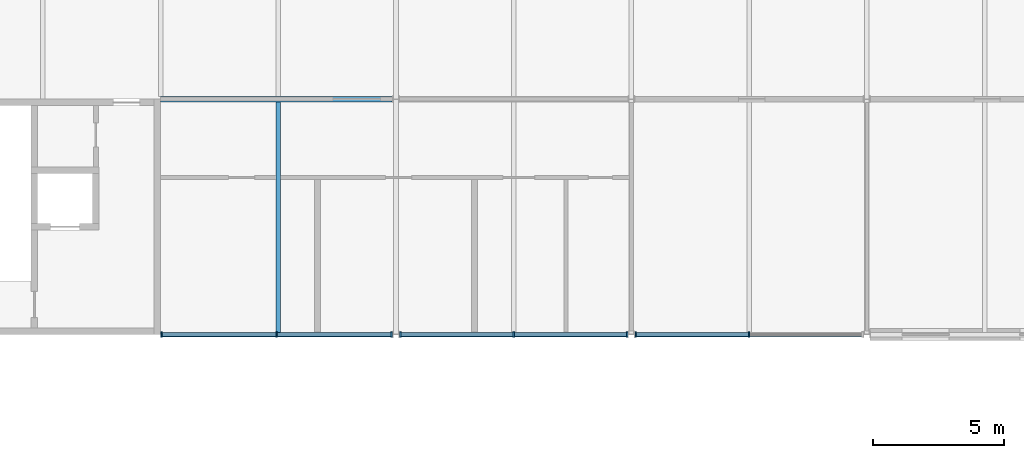
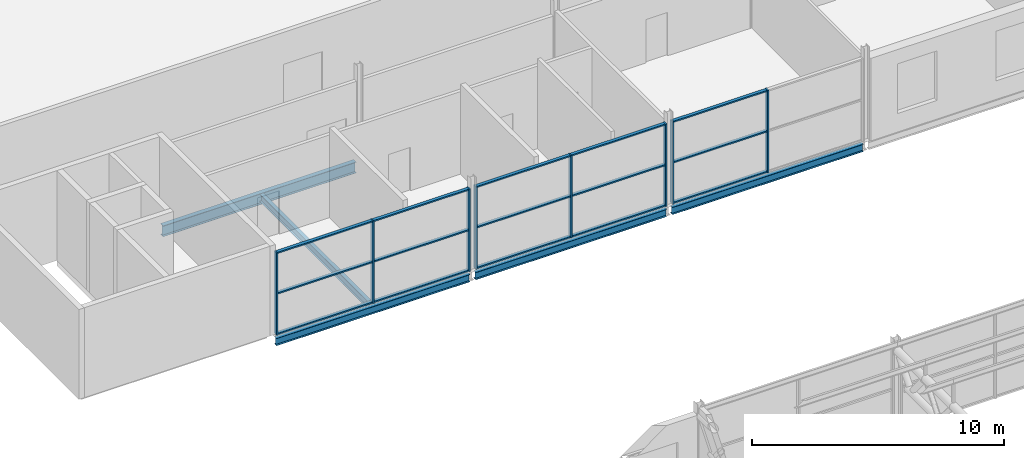
# One storey, part 40 of 138: 23 members, 5 beams, 3 elements without a shape of their own.
"""IFC4 building model written with IfcOpenShell, lengths in metres."""

import ifcopenshell
import ifcopenshell.guid

model = None  # the IFC model being written
_history = None  # IfcOwnerHistory: only IFC2X3 demands one
_inside = {}  # id of a spatial element -> (the spatial element, [elements in it])
_under = {}  # id of a project, library or spatial element -> (it, [spatial elements below it])
_declared = {}  # id of a project -> (the project, [libraries it declares])
_typed = {}  # id of a type object -> (the type object, [elements of that type])
_made_of = {}  # id of a material, layer set ... -> (it, [elements and type objects made of it])


def new_model(schema):
    """Start an empty IFC model of exactly this schema.

    Asked for "IFC4X3", IfcOpenShell would pick the latest addendum, in which some entities
    have other attributes; the version numbers below select the first issue.
    IFC2X3 requires an IfcOwnerHistory on every rooted entity: one is made here for all.
    """
    global model, _history
    if schema == "IFC4X3":
        model = ifcopenshell.file(schema_version=(4, 3, 0, 0))
    else:
        model = ifcopenshell.file(schema=schema)
    _inside.clear()
    _under.clear()
    _declared.clear()
    _typed.clear()
    _made_of.clear()
    _history = None
    if model.schema == "IFC2X3":
        org = make("IfcOrganization", Name="unknown")
        user = make(
            "IfcPersonAndOrganization",
            ThePerson=make("IfcPerson", FamilyName="unknown"),
            TheOrganization=org,
        )
        app = make(
            "IfcApplication",
            ApplicationDeveloper=org,
            Version="unknown",
            ApplicationFullName="unknown",
            ApplicationIdentifier="unknown",
        )
        _history = make(
            "IfcOwnerHistory",
            OwningUser=user,
            OwningApplication=app,
            ChangeAction="ADDED",
            CreationDate=0,
        )
    return model


def make(cls, **values):
    """One entity of the class cls with the attributes given. An attribute that is None is left unset."""
    return model.create_entity(
        cls, **{name: value for name, value in values.items() if value is not None}
    )


def rooted(cls, **values):
    """An entity with a GlobalId (a new one), such as an element, a storey or a relation."""
    return make(cls, GlobalId=ifcopenshell.guid.new(), OwnerHistory=_history, **values)


def si_unit(unit_type, name, prefix=None):
    """IfcSIUnit, for example si_unit("LENGTHUNIT", "METRE", prefix="MILLI")."""
    return make("IfcSIUnit", UnitType=unit_type, Prefix=prefix, Name=name)


def assignment(units):
    """IfcUnitAssignment: the units of a project."""
    return None if units is None else make("IfcUnitAssignment", Units=units)


def point(xyz):
    """IfcCartesianPoint."""
    return None if xyz is None else make("IfcCartesianPoint", Coordinates=xyz)


def direction(xyz):
    """IfcDirection."""
    return None if xyz is None else make("IfcDirection", DirectionRatios=xyz)


def frame(location, z_axis=None, x_axis=None):
    """IfcAxis2Placement3D, a coordinate frame: its origin and axes. An axis left out is left unset."""
    return make(
        "IfcAxis2Placement3D",
        Location=point(location),
        Axis=direction(z_axis),
        RefDirection=direction(x_axis),
    )


def frame_2d(location, x_axis=None):
    """IfcAxis2Placement2D, a coordinate frame in the plane: its origin and x axis."""
    return make(
        "IfcAxis2Placement2D", Location=point(location), RefDirection=direction(x_axis)
    )


def origin():
    """The frame at (0, 0, 0) with its axes left unset."""
    return frame((0.0, 0.0, 0.0))


def origin_2d():
    """The frame at (0, 0) in the plane with its x axis left unset."""
    return frame_2d((0.0, 0.0))


def place(relative_to, where):
    """IfcLocalPlacement: puts the frame where relative to a parent placement (None: the world)."""
    return make(
        "IfcLocalPlacement", PlacementRelTo=relative_to, RelativePlacement=where
    )


def context(
    kind, dimensions, precision=None, world=None, true_north=None, identifier=None
):
    """IfcGeometricRepresentationContext, for example the 3D "Model" context."""
    return make(
        "IfcGeometricRepresentationContext",
        ContextIdentifier=identifier,
        ContextType=kind,
        CoordinateSpaceDimension=dimensions,
        Precision=precision,
        WorldCoordinateSystem=world,
        TrueNorth=true_north,
    )


def subcontext(parent, identifier, kind, view, scale=None):
    """IfcGeometricRepresentationSubContext, for example "Body" below "Model"."""
    return make(
        "IfcGeometricRepresentationSubContext",
        ContextIdentifier=identifier,
        ContextType=kind,
        ParentContext=parent,
        TargetScale=scale,
        TargetView=view,
    )


def project(units=None, contexts=None):
    """IfcProject with its units and contexts."""
    return rooted(
        "IfcProject",
        Name="project",
        RepresentationContexts=contexts,
        UnitsInContext=assignment(units),
    )


def spatial(cls, under=None, at=None, **own):
    """A site, building, storey or space (cls), placed at a placement, below another one or the project."""
    s = rooted(cls, ObjectPlacement=at, **own)
    if under is not None:
        _under.setdefault(under.id(), (under, []))[1].append(s)
    return s


def profile(cls, at=None, kind="AREA", **sizes):
    """A parametric profile (cls). Its sizes go by their IFC names, for example OverallWidth=200.0."""
    return make(cls, ProfileType=kind, Position=at, **sizes)


def rectangle(**sizes):
    """IfcRectangleProfileDef."""
    return profile("IfcRectangleProfileDef", **sizes)


def i_section(**sizes):
    """IfcIShapeProfileDef."""
    return profile("IfcIShapeProfileDef", **sizes)


def extrude(swept, where, along, depth):
    """IfcExtrudedAreaSolid: the profile swept, set in the frame where, extruded along a direction by depth."""
    return make(
        "IfcExtrudedAreaSolid",
        SweptArea=swept,
        Position=where,
        ExtrudedDirection=direction(along),
        Depth=depth,
    )


def shape(context_of_items, identifier, shape_type, items):
    """IfcShapeRepresentation: the items that make up one representation, for example the "Body"."""
    return make(
        "IfcShapeRepresentation",
        ContextOfItems=context_of_items,
        RepresentationIdentifier=identifier,
        RepresentationType=shape_type,
        Items=items,
    )


def material(Name=None, Category=None):
    """IfcMaterial."""
    return make("IfcMaterial", Name=Name, Category=Category)


def layer(
    of_material, thickness, ventilated=None, Name=None, Category=None, Priority=None
):
    """IfcMaterialLayer: one layer of a wall or slab, of a material (None: an air gap)."""
    return make(
        "IfcMaterialLayer",
        Material=of_material,
        LayerThickness=thickness,
        IsVentilated=ventilated,
        Name=Name,
        Category=Category,
        Priority=Priority,
    )


def layer_set(layers, Name=None):
    """IfcMaterialLayerSet."""
    return make("IfcMaterialLayerSet", MaterialLayers=layers, LayerSetName=Name)


def material_profile(
    of_material, cross_section, Name=None, Category=None, Priority=None
):
    """IfcMaterialProfile: a cross section and its material."""
    return make(
        "IfcMaterialProfile",
        Name=Name,
        Material=of_material,
        Profile=cross_section,
        Priority=Priority,
        Category=Category,
    )


def profile_set(profiles, Name=None, composite=None):
    """IfcMaterialProfileSet."""
    return make(
        "IfcMaterialProfileSet",
        Name=Name,
        MaterialProfiles=profiles,
        CompositeProfile=composite,
    )


def made_of(thing, what):
    """Note that an element or type object is made of a material, layer set ...; save() writes the relation."""
    if what is not None:
        _made_of.setdefault(what.id(), (what, []))[1].append(thing)
    return thing


def type_object(cls, material=None, **own):
    """A type object (cls), such as IfcWallType, which elements share."""
    return made_of(rooted(cls, **own), material)


def element(
    cls,
    number,
    at=None,
    inside=None,
    cuts=None,
    type_object=None,
    material=None,
    context=None,
    identifier="Body",
    shape_type=None,
    held_by="IfcProductDefinitionShape",
    body=None,
    shapes=None,
    **own,
):
    """One element of the class cls, such as IfcWall. Its Tag is "e" and its number.

    at: its placement. inside: the storey or other place that contains it. cuts: it is an
    opening in that element (IfcRelVoidsElement). A single representation is given by context,
    identifier, shape_type and body (its items); several are given by shapes. held_by: the class
    of the entity that holds the representations. save() writes the other relations.
    """
    e = rooted(cls, Tag="e%d" % number, ObjectPlacement=at, **own)
    if body is not None:
        shapes = [shape(context, identifier, shape_type, body)]
    if shapes is not None:
        e.Representation = make(held_by, Representations=shapes)
    if inside is not None:
        _inside.setdefault(inside.id(), (inside, []))[1].append(e)
    if cuts is not None:
        rooted(
            "IfcRelVoidsElement", RelatingBuildingElement=cuts, RelatedOpeningElement=e
        )
    if type_object is not None:
        _typed.setdefault(type_object.id(), (type_object, []))[1].append(e)
    return made_of(e, material)


def aggregate(whole, parts):
    """IfcRelAggregates: a whole, such as a stair, and the parts it consists of."""
    return rooted("IfcRelAggregates", RelatingObject=whole, RelatedObjects=parts)


def save(model, path):
    """Write the relations noted so far, then the file.

    IfcRelAggregates (storeys below a building ...), IfcRelContainedInSpatialStructure (elements
    in a storey), IfcRelDefinesByType, IfcRelAssociatesMaterial and IfcRelDeclares: one each for
    every whole, place, type object, material and project.
    """
    for whole, parts in _under.values():
        aggregate(whole, parts)
    for where, things in _inside.values():
        rooted(
            "IfcRelContainedInSpatialStructure",
            RelatedElements=things,
            RelatingStructure=where,
        )
    for kind, things in _typed.values():
        rooted("IfcRelDefinesByType", RelatedObjects=things, RelatingType=kind)
    for what, things in _made_of.values():
        rooted("IfcRelAssociatesMaterial", RelatedObjects=things, RelatingMaterial=what)
    for by, libraries in _declared.values():
        rooted("IfcRelDeclares", RelatingContext=by, RelatedDefinitions=libraries)
    model.write(path)


model = new_model("IFC4")

# Units and contexts
model_context = context("Model", 3, precision=1e-05, world=origin(), true_north=direction((0.0, 1.0)))
body_context = subcontext(model_context, "Body", "Model", "MODEL_VIEW")
ifc_project = project(units=[si_unit("LENGTHUNIT", "METRE"), si_unit("AREAUNIT", "SQUARE_METRE"), si_unit("VOLUMEUNIT", "CUBIC_METRE"), si_unit("PLANEANGLEUNIT", "RADIAN"), si_unit("MASSUNIT", "GRAM", prefix="KILO")], contexts=[model_context])

# Site, building, storey
site_placement = place(None, origin())
site = spatial("IfcSite", under=ifc_project, at=site_placement, CompositionType="ELEMENT")
building_placement = place(site_placement, origin())
building = spatial("IfcBuilding", under=site, at=building_placement, Name="Corbel Yard City Hall", CompositionType="ELEMENT")
storey_placement = place(building_placement, frame((0.0, 0.0, 10.5)))
storey = spatial("IfcBuildingStorey", under=building, at=storey_placement, Name="L02", CompositionType="ELEMENT", Elevation=10.5)

# Beams
ifc_material_1 = material(Name="Steel Grade 300 (300 MPa yield)", Category="steel")
ifc_material_profile_1 = material_profile(ifc_material_1, i_section(OverallWidth=0.172119140625, OverallDepth=0.35888671875, WebThickness=0.008056640625, FlangeThickness=0.012939453125, at=origin_2d()), Name="360UB56.7")
ifc_profile_set_1 = profile_set([ifc_material_profile_1], Name="Steel Grade 300 (300 MPa yield)")
beam_type_1 = type_object("IfcBeamType", Name="Edge beam 360UB56.7", PredefinedType="BEAM", material=ifc_profile_set_1)
beam_1_placement = place(storey_placement, frame((9.0, 45.0, -0.32958984375), z_axis=(1.0, 0.0, 0.0), x_axis=(0.0, 1.0, 0.0)))
element("IfcBeam", 1, at=beam_1_placement, inside=storey, type_object=beam_type_1, Name="Edge beam 360UB56.7 EB4 L02floor", PredefinedType="BEAM", context=body_context, shape_type="SweptSolid", body=[
    extrude(i_section(OverallWidth=0.172119140625, OverallDepth=0.35888671875, WebThickness=0.008056640625, FlangeThickness=0.012939453125, at=origin_2d()), origin(), (0.0, 0.0, 1.0), 8.8701171875),
])
for number, where, z_axis, x_axis, name in (
    (2, (18.1298828125, 45.0, -0.32958984375), (1.0, 0.0, 0.0), (0.0, 1.0, 0.0), "Edge beam 360UB56.7 EB4 L02floor"),
    (3, (27.1298828125, 45.0, -0.32958984375), (1.0, 0.0, 0.0), (0.0, 1.0, 0.0), "Edge beam 360UB56.7 EB4 L02floor"),
):
    element("IfcBeam", number, at=place(storey_placement, frame(where, z_axis=z_axis, x_axis=x_axis)), inside=storey, type_object=beam_type_1, Name=name, PredefinedType="BEAM", context=body_context, shape_type="SweptSolid", body=[
        extrude(i_section(OverallWidth=0.172119140625, OverallDepth=0.35888671875, WebThickness=0.008056640625, FlangeThickness=0.012939453125, at=origin_2d()), origin(), (0.0, 0.0, 1.0), 8.740234375),
    ])
ifc_material_profile_2 = material_profile(ifc_material_1, i_section(OverallWidth=0.208984375, OverallDepth=0.528076171875, WebThickness=0.009521484375, FlangeThickness=0.01318359375, at=origin_2d()), Name="530UB82.0")
ifc_profile_set_2 = profile_set([ifc_material_profile_2], Name="Steel Grade 300 (300 MPa yield)")
beam_type_2 = type_object("IfcBeamType", Name="Girder 530UB82.0", PredefinedType="BEAM", material=ifc_profile_set_2)
beam_2_placement = place(storey_placement, frame((9.0, 54.0, -0.4140625), z_axis=(1.0, 0.0, 0.0), x_axis=(0.0, 1.0, 0.0)))
element("IfcBeam", 4, at=beam_2_placement, inside=storey, type_object=beam_type_2, Name="Girder 530UB82.0 GB3 L02floor", PredefinedType="BEAM", context=body_context, shape_type="SweptSolid", body=[
    extrude(i_section(OverallWidth=0.208984375, OverallDepth=0.528076171875, WebThickness=0.009521484375, FlangeThickness=0.01318359375, at=origin_2d()), origin(), (0.0, 0.0, 1.0), 8.842529296875),
])

# Curtain wall, members
ifc_material_2 = material(Name="Aluminium extrusion", Category="aluminium")
ifc_layer = layer(ifc_material_2, 0.199951171875)
ifc_layer_set = layer_set([ifc_layer], Name="Aluminium extrusion")
curtain_wall_type = type_object("IfcCurtainWallType", Name="CW1", PredefinedType="USERDEFINED", material=ifc_layer_set)
curtain_wall_1_placement = place(storey_placement, origin())
curtain_wall_1 = element("IfcCurtainWall", 5, at=curtain_wall_1_placement, inside=storey, type_object=curtain_wall_type, Name="Curtain wall CW1 L02", ObjectType="CURTAIN WALL", PredefinedType="USERDEFINED")
ifc_material_profile_3 = material_profile(ifc_material_2, rectangle(XDim=0.199951171875, YDim=0.06494140625, at=origin_2d()), Name="200x65")
ifc_profile_set_3 = profile_set([ifc_material_profile_3], Name="Aluminium extrusion")
member_type_1 = type_object("IfcMemberType", Name="ML1", PredefinedType="MULLION", material=ifc_profile_set_3)
member_1_placement = place(storey_placement, frame((9.032470703125, 45.0, 0.0), z_axis=(0.0, 0.0, 1.0), x_axis=(0.0, 1.0, 0.0)))
member_1 = element("IfcMember", 6, at=member_1_placement, type_object=member_type_1, Name="CW1 mullion 1", PredefinedType="MULLION", context=body_context, shape_type="SweptSolid", body=[
    extrude(rectangle(XDim=0.199951171875, YDim=0.06494140625, at=origin_2d()), origin(), (0.0, 0.0, 1.0), 3.990966796875),
])
member_2_placement = place(storey_placement, frame((13.4365234375, 45.0, 0.0), z_axis=(0.0, 0.0, 1.0), x_axis=(0.0, 1.0, 0.0)))
member_2 = element("IfcMember", 7, at=member_2_placement, type_object=member_type_1, Name="CW1 mullion 2", PredefinedType="MULLION", context=body_context, shape_type="SweptSolid", body=[
    extrude(rectangle(XDim=0.199951171875, YDim=0.06494140625, at=origin_2d()), origin(), (0.0, 0.0, 1.0), 3.990966796875),
])
member_3_placement = place(storey_placement, frame((17.840576171875, 45.0, 0.0), z_axis=(0.0, 0.0, 1.0), x_axis=(0.0, 1.0, 0.0)))
member_3 = element("IfcMember", 8, at=member_3_placement, type_object=member_type_1, Name="CW1 mullion 3", PredefinedType="MULLION", context=body_context, shape_type="SweptSolid", body=[
    extrude(rectangle(XDim=0.199951171875, YDim=0.06494140625, at=origin_2d()), origin(), (0.0, 0.0, 1.0), 3.990966796875),
])

curtain_wall_2_placement = place(storey_placement, origin())
curtain_wall_2 = element("IfcCurtainWall", 9, at=curtain_wall_2_placement, inside=storey, type_object=curtain_wall_type, Name="Curtain wall CW1 L02", ObjectType="CURTAIN WALL", PredefinedType="USERDEFINED")
member_4_placement = place(storey_placement, frame((18.159423828125, 45.0, 0.0), z_axis=(0.0, 0.0, 1.0), x_axis=(0.0, 1.0, 0.0)))
member_4 = element("IfcMember", 10, at=member_4_placement, type_object=member_type_1, Name="CW1 mullion 1", PredefinedType="MULLION", context=body_context, shape_type="SweptSolid", body=[
    extrude(rectangle(XDim=0.199951171875, YDim=0.06494140625, at=origin_2d()), origin(), (0.0, 0.0, 1.0), 3.990966796875),
])
member_5_placement = place(storey_placement, frame((22.5, 45.0, 0.0), z_axis=(0.0, 0.0, 1.0), x_axis=(0.0, 1.0, 0.0)))
member_5 = element("IfcMember", 11, at=member_5_placement, type_object=member_type_1, Name="CW1 mullion 2", PredefinedType="MULLION", context=body_context, shape_type="SweptSolid", body=[
    extrude(rectangle(XDim=0.199951171875, YDim=0.06494140625, at=origin_2d()), origin(), (0.0, 0.0, 1.0), 3.990966796875),
])
member_6_placement = place(storey_placement, frame((26.840576171875, 45.0, 0.0), z_axis=(0.0, 0.0, 1.0), x_axis=(0.0, 1.0, 0.0)))
member_6 = element("IfcMember", 12, at=member_6_placement, type_object=member_type_1, Name="CW1 mullion 3", PredefinedType="MULLION", context=body_context, shape_type="SweptSolid", body=[
    extrude(rectangle(XDim=0.199951171875, YDim=0.06494140625, at=origin_2d()), origin(), (0.0, 0.0, 1.0), 3.990966796875),
])

curtain_wall_3_placement = place(storey_placement, origin())
curtain_wall_3 = element("IfcCurtainWall", 13, at=curtain_wall_3_placement, inside=storey, type_object=curtain_wall_type, Name="Curtain wall CW1 L02", ObjectType="CURTAIN WALL", PredefinedType="USERDEFINED")
member_7_placement = place(storey_placement, frame((27.159423828125, 45.0, 0.0), z_axis=(0.0, 0.0, 1.0), x_axis=(0.0, 1.0, 0.0)))
member_7 = element("IfcMember", 14, at=member_7_placement, type_object=member_type_1, Name="CW1 mullion 1", PredefinedType="MULLION", context=body_context, shape_type="SweptSolid", body=[
    extrude(rectangle(XDim=0.199951171875, YDim=0.06494140625, at=origin_2d()), origin(), (0.0, 0.0, 1.0), 3.990966796875),
])
member_8_placement = place(storey_placement, frame((31.5, 45.0, 0.0), z_axis=(0.0, 0.0, 1.0), x_axis=(0.0, 1.0, 0.0)))
member_8 = element("IfcMember", 15, at=member_8_placement, type_object=member_type_1, Name="CW1 mullion 2", PredefinedType="MULLION", context=body_context, shape_type="SweptSolid", body=[
    extrude(rectangle(XDim=0.199951171875, YDim=0.06494140625, at=origin_2d()), origin(), (0.0, 0.0, 1.0), 3.990966796875),
])

# Beam
ifc_material_profile_4 = material_profile(ifc_material_1, i_section(OverallWidth=0.1708984375, OverallDepth=0.35595703125, WebThickness=0.00732421875, FlangeThickness=0.011474609375, at=origin_2d()), Name="360UB50.7")
ifc_profile_set_4 = profile_set([ifc_material_profile_4], Name="Steel Grade 300 (300 MPa yield)")
beam_type_3 = type_object("IfcBeamType", Name="Secondary beam 360UB50.7", PredefinedType="JOIST", material=ifc_profile_set_4)
beam_3_placement = place(storey_placement, frame((13.5, 45.0859375, -0.327880859375), z_axis=(0.0, 1.0, 0.0), x_axis=(-1.0, 0.0, 0.0)))
element("IfcBeam", 16, at=beam_3_placement, inside=storey, type_object=beam_type_3, Name="Secondary beam 360UB50.7 SB10 L02floor", PredefinedType="JOIST", context=body_context, shape_type="SweptSolid", body=[
    extrude(i_section(OverallWidth=0.1708984375, OverallDepth=0.35595703125, WebThickness=0.00732421875, FlangeThickness=0.011474609375, at=origin_2d()), origin(), (0.0, 0.0, 1.0), 8.8095703125),
])

# Member
ifc_material_profile_5 = material_profile(ifc_material_2, rectangle(XDim=0.14990234375, YDim=0.06494140625, at=origin_2d()), Name="150x65")
ifc_profile_set_5 = profile_set([ifc_material_profile_5], Name="Aluminium extrusion")
member_type_2 = type_object("IfcMemberType", Name="TR1", PredefinedType="USERDEFINED", material=ifc_profile_set_5)
member_9_placement = place(storey_placement, frame((9.06494140625, 45.0, 0.032470703125), z_axis=(1.0, 0.0, 0.0), x_axis=(0.0, 1.0, 0.0)))
member_9 = element("IfcMember", 17, at=member_9_placement, type_object=member_type_2, Name="CW1 transom 1.1", ObjectType="TRANSOM", PredefinedType="USERDEFINED", context=body_context, shape_type="SweptSolid", body=[
    extrude(rectangle(XDim=0.14990234375, YDim=0.06494140625, at=origin_2d()), origin(), (0.0, 0.0, 1.0), 4.339111328125),
])

member_10_placement = place(storey_placement, frame((9.06494140625, 45.0, 1.99560546875), z_axis=(1.0, 0.0, 0.0), x_axis=(0.0, 1.0, 0.0)))
member_10 = element("IfcMember", 18, at=member_10_placement, type_object=member_type_2, Name="CW1 transom 1.2", ObjectType="TRANSOM", PredefinedType="USERDEFINED", context=body_context, shape_type="SweptSolid", body=[
    extrude(rectangle(XDim=0.14990234375, YDim=0.06494140625, at=origin_2d()), origin(), (0.0, 0.0, 1.0), 4.339111328125),
])

member_11_placement = place(storey_placement, frame((9.06494140625, 45.0, 3.95849609375), z_axis=(1.0, 0.0, 0.0), x_axis=(0.0, 1.0, 0.0)))
member_11 = element("IfcMember", 19, at=member_11_placement, type_object=member_type_2, Name="CW1 transom 1.3", ObjectType="TRANSOM", PredefinedType="USERDEFINED", context=body_context, shape_type="SweptSolid", body=[
    extrude(rectangle(XDim=0.14990234375, YDim=0.06494140625, at=origin_2d()), origin(), (0.0, 0.0, 1.0), 4.339111328125),
])

member_12_placement = place(storey_placement, frame((13.468994140625, 45.0, 0.032470703125), z_axis=(1.0, 0.0, 0.0), x_axis=(0.0, 1.0, 0.0)))
member_12 = element("IfcMember", 20, at=member_12_placement, type_object=member_type_2, Name="CW1 transom 2.1", ObjectType="TRANSOM", PredefinedType="USERDEFINED", context=body_context, shape_type="SweptSolid", body=[
    extrude(rectangle(XDim=0.14990234375, YDim=0.06494140625, at=origin_2d()), origin(), (0.0, 0.0, 1.0), 4.339111328125),
])

member_13_placement = place(storey_placement, frame((13.468994140625, 45.0, 1.99560546875), z_axis=(1.0, 0.0, 0.0), x_axis=(0.0, 1.0, 0.0)))
member_13 = element("IfcMember", 21, at=member_13_placement, type_object=member_type_2, Name="CW1 transom 2.2", ObjectType="TRANSOM", PredefinedType="USERDEFINED", context=body_context, shape_type="SweptSolid", body=[
    extrude(rectangle(XDim=0.14990234375, YDim=0.06494140625, at=origin_2d()), origin(), (0.0, 0.0, 1.0), 4.339111328125),
])

member_14_placement = place(storey_placement, frame((13.468994140625, 45.0, 3.95849609375), z_axis=(1.0, 0.0, 0.0), x_axis=(0.0, 1.0, 0.0)))
member_14 = element("IfcMember", 22, at=member_14_placement, type_object=member_type_2, Name="CW1 transom 2.3", ObjectType="TRANSOM", PredefinedType="USERDEFINED", context=body_context, shape_type="SweptSolid", body=[
    extrude(rectangle(XDim=0.14990234375, YDim=0.06494140625, at=origin_2d()), origin(), (0.0, 0.0, 1.0), 4.339111328125),
])

aggregate(curtain_wall_1, [member_1, member_2, member_3, member_9, member_10, member_11, member_12, member_13, member_14])

member_15_placement = place(storey_placement, frame((18.19189453125, 45.0, 0.032470703125), z_axis=(1.0, 0.0, 0.0), x_axis=(0.0, 1.0, 0.0)))
member_15 = element("IfcMember", 23, at=member_15_placement, type_object=member_type_2, Name="CW1 transom 1.1", ObjectType="TRANSOM", PredefinedType="USERDEFINED", context=body_context, shape_type="SweptSolid", body=[
    extrude(rectangle(XDim=0.14990234375, YDim=0.06494140625, at=origin_2d()), origin(), (0.0, 0.0, 1.0), 4.275634765625),
])

member_16_placement = place(storey_placement, frame((18.19189453125, 45.0, 1.99560546875), z_axis=(1.0, 0.0, 0.0), x_axis=(0.0, 1.0, 0.0)))
member_16 = element("IfcMember", 24, at=member_16_placement, type_object=member_type_2, Name="CW1 transom 1.2", ObjectType="TRANSOM", PredefinedType="USERDEFINED", context=body_context, shape_type="SweptSolid", body=[
    extrude(rectangle(XDim=0.14990234375, YDim=0.06494140625, at=origin_2d()), origin(), (0.0, 0.0, 1.0), 4.275634765625),
])

member_17_placement = place(storey_placement, frame((18.19189453125, 45.0, 3.95849609375), z_axis=(1.0, 0.0, 0.0), x_axis=(0.0, 1.0, 0.0)))
member_17 = element("IfcMember", 25, at=member_17_placement, type_object=member_type_2, Name="CW1 transom 1.3", ObjectType="TRANSOM", PredefinedType="USERDEFINED", context=body_context, shape_type="SweptSolid", body=[
    extrude(rectangle(XDim=0.14990234375, YDim=0.06494140625, at=origin_2d()), origin(), (0.0, 0.0, 1.0), 4.275634765625),
])

member_18_placement = place(storey_placement, frame((22.532470703125, 45.0, 0.032470703125), z_axis=(1.0, 0.0, 0.0), x_axis=(0.0, 1.0, 0.0)))
member_18 = element("IfcMember", 26, at=member_18_placement, type_object=member_type_2, Name="CW1 transom 2.1", ObjectType="TRANSOM", PredefinedType="USERDEFINED", context=body_context, shape_type="SweptSolid", body=[
    extrude(rectangle(XDim=0.14990234375, YDim=0.06494140625, at=origin_2d()), origin(), (0.0, 0.0, 1.0), 4.275634765625),
])

member_19_placement = place(storey_placement, frame((22.532470703125, 45.0, 1.99560546875), z_axis=(1.0, 0.0, 0.0), x_axis=(0.0, 1.0, 0.0)))
member_19 = element("IfcMember", 27, at=member_19_placement, type_object=member_type_2, Name="CW1 transom 2.2", ObjectType="TRANSOM", PredefinedType="USERDEFINED", context=body_context, shape_type="SweptSolid", body=[
    extrude(rectangle(XDim=0.14990234375, YDim=0.06494140625, at=origin_2d()), origin(), (0.0, 0.0, 1.0), 4.275634765625),
])

member_20_placement = place(storey_placement, frame((22.532470703125, 45.0, 3.95849609375), z_axis=(1.0, 0.0, 0.0), x_axis=(0.0, 1.0, 0.0)))
member_20 = element("IfcMember", 28, at=member_20_placement, type_object=member_type_2, Name="CW1 transom 2.3", ObjectType="TRANSOM", PredefinedType="USERDEFINED", context=body_context, shape_type="SweptSolid", body=[
    extrude(rectangle(XDim=0.14990234375, YDim=0.06494140625, at=origin_2d()), origin(), (0.0, 0.0, 1.0), 4.275634765625),
])

aggregate(curtain_wall_2, [member_4, member_5, member_6, member_15, member_16, member_17, member_18, member_19, member_20])

member_21_placement = place(storey_placement, frame((27.19189453125, 45.0, 0.032470703125), z_axis=(1.0, 0.0, 0.0), x_axis=(0.0, 1.0, 0.0)))
member_21 = element("IfcMember", 29, at=member_21_placement, type_object=member_type_2, Name="CW1 transom 1.1", ObjectType="TRANSOM", PredefinedType="USERDEFINED", context=body_context, shape_type="SweptSolid", body=[
    extrude(rectangle(XDim=0.14990234375, YDim=0.06494140625, at=origin_2d()), origin(), (0.0, 0.0, 1.0), 4.275634765625),
])

member_22_placement = place(storey_placement, frame((27.19189453125, 45.0, 1.99560546875), z_axis=(1.0, 0.0, 0.0), x_axis=(0.0, 1.0, 0.0)))
member_22 = element("IfcMember", 30, at=member_22_placement, type_object=member_type_2, Name="CW1 transom 1.2", ObjectType="TRANSOM", PredefinedType="USERDEFINED", context=body_context, shape_type="SweptSolid", body=[
    extrude(rectangle(XDim=0.14990234375, YDim=0.06494140625, at=origin_2d()), origin(), (0.0, 0.0, 1.0), 4.275634765625),
])

member_23_placement = place(storey_placement, frame((27.19189453125, 45.0, 3.95849609375), z_axis=(1.0, 0.0, 0.0), x_axis=(0.0, 1.0, 0.0)))
member_23 = element("IfcMember", 31, at=member_23_placement, type_object=member_type_2, Name="CW1 transom 1.3", ObjectType="TRANSOM", PredefinedType="USERDEFINED", context=body_context, shape_type="SweptSolid", body=[
    extrude(rectangle(XDim=0.14990234375, YDim=0.06494140625, at=origin_2d()), origin(), (0.0, 0.0, 1.0), 4.275634765625),
])

aggregate(curtain_wall_3, [member_7, member_8, member_21, member_22, member_23])

save(model, "model.ifc")
